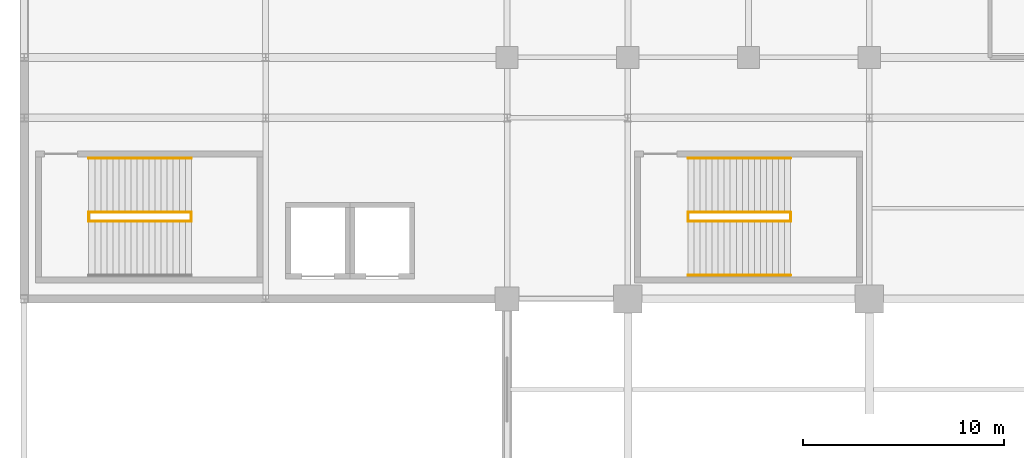
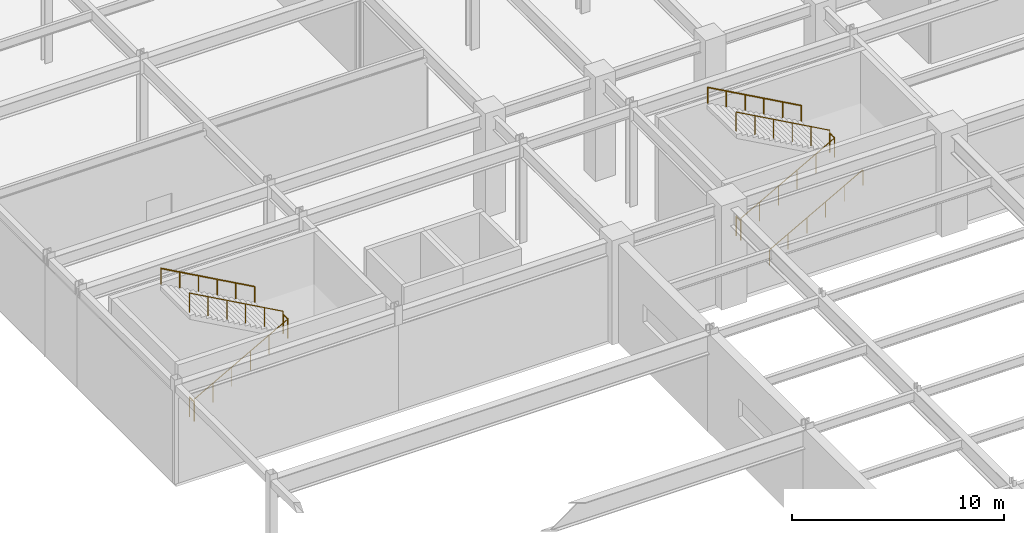
# One storey, part 100 of 105: 11 railings.
"""IFC4 building model written with IfcOpenShell, lengths in metres."""

from ifc_helpers import new_model, si_unit, direction, frame, origin, origin_2d, place, context, subcontext, project, spatial, circle, extrude, material, type_object, element, save


model = new_model("IFC4")

# Units and contexts
model_context = context("Model", 3, precision=1e-05, world=origin(), true_north=direction((0.0, 1.0)))
body_context = subcontext(model_context, "Body", "Model", "MODEL_VIEW")
ifc_project = project(units=[si_unit("LENGTHUNIT", "METRE"), si_unit("AREAUNIT", "SQUARE_METRE"), si_unit("VOLUMEUNIT", "CUBIC_METRE"), si_unit("PLANEANGLEUNIT", "RADIAN"), si_unit("MASSUNIT", "GRAM", prefix="KILO")], contexts=[model_context])

# Site, building, storey
site_placement = place(None, origin())
site = spatial("IfcSite", under=ifc_project, at=site_placement, CompositionType="ELEMENT")
building_placement = place(site_placement, origin())
building = spatial("IfcBuilding", under=site, at=building_placement, Name="Kaldorvane Square Convention Centre", CompositionType="ELEMENT")
storey_placement = place(building_placement, frame((0.0, 0.0, 6.0)))
storey = spatial("IfcBuildingStorey", under=building, at=storey_placement, Name="L01", CompositionType="ELEMENT", Elevation=6.0)

# Railings
ifc_material = material(Name="Architectural Painted Steel", Category="steel")
railing_type_1 = type_object("IfcRailingType", Name="RL-GUARD-1120", PredefinedType="BALUSTRADE", material=ifc_material)
for number, where, name in (
    (1, (3.2100067138671875, 75.86000061035156, 0.0), "Convention Exit Stair C12 Floor Well Guard (L01)"),
    (2, (8.30999755859375, 75.86000061035156, 3.0), "Convention Exit Stair C12 Half-Landing Guard (L01)"),
):
    element("IfcRailing", number, at=place(storey_placement, frame(where)), inside=storey, type_object=railing_type_1, Name=name, PredefinedType="BALUSTRADE", context=body_context, shape_type="SweptSolid", body=[
        extrude(circle(Radius=0.0240020751953125, at=origin_2d()), frame((0.0, 0.0, 1.0959930419921875), z_axis=(0.0, 1.0, 0.0), x_axis=(-1.0, 0.0, 0.0)), (0.0, 0.0, 1.0), 0.44000244140625),
        extrude(circle(Radius=0.02099609375, at=origin_2d()), origin(), (0.0, 0.0, 1.0), 1.071990966796875),
        extrude(circle(Radius=0.02099609375, at=origin_2d()), frame((0.0, 0.44000244140625, 0.0)), (0.0, 0.0, 1.0), 1.071990966796875),
    ])
railing_1_placement = place(storey_placement, frame((3.2100067138671875, 75.85000610351562, 0.1666717529296875)))
element("IfcRailing", 3, at=railing_1_placement, inside=storey, type_object=railing_type_1, Name="Convention Exit Stair C12 Flight 1 Guard (L01)", PredefinedType="BALUSTRADE", context=body_context, shape_type="SweptSolid", body=[
    extrude(circle(Radius=0.0240020751953125, at=origin_2d()), frame((0.0, 0.0, 1.0959930419921875), z_axis=(0.874157276122, 0.0, 0.485642931179), x_axis=(0.0, 1.0, 0.0)), (0.0, 0.0, 1.0), 5.8341827392578125),
    extrude(circle(Radius=0.02099609375, at=origin_2d()), origin(), (0.0, 0.0, 1.0), 1.071990966796875),
    extrude(circle(Radius=0.02099609375, at=origin_2d()), frame((1.0200042724609375, 0.0, 0.5666656494140625)), (0.0, 0.0, 1.0), 1.071990966796875),
    extrude(circle(Radius=0.02099609375, at=origin_2d()), frame((2.0399932861328125, 0.0, 1.133331298828125)), (0.0, 0.0, 1.0), 1.071990966796875),
    extrude(circle(Radius=0.02099609375, at=origin_2d()), frame((3.05999755859375, 0.0, 1.6999969482421875)), (0.0, 0.0, 1.0), 1.071990966796875),
    extrude(circle(Radius=0.02099609375, at=origin_2d()), frame((4.079986572265625, 0.0, 2.26666259765625)), (0.0, 0.0, 1.0), 1.071990966796875),
    extrude(circle(Radius=0.02099609375, at=origin_2d()), frame((5.0999908447265625, 0.0, 2.8333282470703125)), (0.0, 0.0, 1.0), 1.071990966796875),
])
railing_2_placement = place(storey_placement, frame((8.30999755859375, 76.30999755859375, 3.1666717529296875)))
element("IfcRailing", 4, at=railing_2_placement, inside=storey, type_object=railing_type_1, Name="Convention Exit Stair C12 Flight 2 Guard (L01)", PredefinedType="BALUSTRADE", context=body_context, shape_type="SweptSolid", body=[
    extrude(circle(Radius=0.0240020751953125, at=origin_2d()), frame((0.0, 0.0, 1.0959930419921875), z_axis=(-0.874157276122, 0.0, 0.485642931179), x_axis=(0.0, -1.0, 0.0)), (0.0, 0.0, 1.0), 5.8341827392578125),
    extrude(circle(Radius=0.02099609375, at=origin_2d()), origin(), (0.0, 0.0, 1.0), 1.071990966796875),
    extrude(circle(Radius=0.02099609375, at=origin_2d()), frame((-1.0200042724609375, 0.0, 0.5666656494140625)), (0.0, 0.0, 1.0), 1.071990966796875),
    extrude(circle(Radius=0.02099609375, at=origin_2d()), frame((-2.0399932861328125, 0.0, 1.133331298828125)), (0.0, 0.0, 1.0), 1.071990966796875),
    extrude(circle(Radius=0.02099609375, at=origin_2d()), frame((-3.05999755859375, 0.0, 1.6999969482421875)), (0.0, 0.0, 1.0), 1.071990966796875),
    extrude(circle(Radius=0.02099609375, at=origin_2d()), frame((-4.079986572265625, 0.0, 2.26666259765625)), (0.0, 0.0, 1.0), 1.071990966796875),
    extrude(circle(Radius=0.02099609375, at=origin_2d()), frame((-5.0999908447265625, 0.0, 2.8333282470703125)), (0.0, 0.0, 1.0), 1.071990966796875),
])
for number, where, name in (
    (5, (32.99000549316406, 75.86000061035156, 0.0), "Convention Exit Stair C13 Floor Well Guard (L01)"),
    (6, (38.089996337890625, 75.86000061035156, 3.0), "Convention Exit Stair C13 Half-Landing Guard (L01)"),
):
    element("IfcRailing", number, at=place(storey_placement, frame(where)), inside=storey, type_object=railing_type_1, Name=name, PredefinedType="BALUSTRADE", context=body_context, shape_type="SweptSolid", body=[
        extrude(circle(Radius=0.0240020751953125, at=origin_2d()), frame((0.0, 0.0, 1.0959930419921875), z_axis=(0.0, 1.0, 0.0), x_axis=(-1.0, 0.0, 0.0)), (0.0, 0.0, 1.0), 0.44000244140625),
        extrude(circle(Radius=0.02099609375, at=origin_2d()), origin(), (0.0, 0.0, 1.0), 1.071990966796875),
        extrude(circle(Radius=0.02099609375, at=origin_2d()), frame((0.0, 0.44000244140625, 0.0)), (0.0, 0.0, 1.0), 1.071990966796875),
    ])
railing_3_placement = place(storey_placement, frame((32.99000549316406, 75.85000610351562, 0.1666717529296875)))
element("IfcRailing", 7, at=railing_3_placement, inside=storey, type_object=railing_type_1, Name="Convention Exit Stair C13 Flight 1 Guard (L01)", PredefinedType="BALUSTRADE", context=body_context, shape_type="SweptSolid", body=[
    extrude(circle(Radius=0.0240020751953125, at=origin_2d()), frame((0.0, 0.0, 1.0959930419921875), z_axis=(0.874157276122, 0.0, 0.485642931179), x_axis=(0.0, 1.0, 0.0)), (0.0, 0.0, 1.0), 5.8341827392578125),
    extrude(circle(Radius=0.02099609375, at=origin_2d()), origin(), (0.0, 0.0, 1.0), 1.071990966796875),
    extrude(circle(Radius=0.02099609375, at=origin_2d()), frame((1.0200042724609375, 0.0, 0.5666656494140625)), (0.0, 0.0, 1.0), 1.071990966796875),
    extrude(circle(Radius=0.02099609375, at=origin_2d()), frame((2.0399932861328125, 0.0, 1.133331298828125)), (0.0, 0.0, 1.0), 1.071990966796875),
    extrude(circle(Radius=0.02099609375, at=origin_2d()), frame((3.05999755859375, 0.0, 1.6999969482421875)), (0.0, 0.0, 1.0), 1.071990966796875),
    extrude(circle(Radius=0.02099609375, at=origin_2d()), frame((4.079986572265625, 0.0, 2.26666259765625)), (0.0, 0.0, 1.0), 1.071990966796875),
    extrude(circle(Radius=0.02099609375, at=origin_2d()), frame((5.0999908447265625, 0.0, 2.8333282470703125)), (0.0, 0.0, 1.0), 1.071990966796875),
])
railing_4_placement = place(storey_placement, frame((38.089996337890625, 76.30999755859375, 3.1666717529296875)))
element("IfcRailing", 8, at=railing_4_placement, inside=storey, type_object=railing_type_1, Name="Convention Exit Stair C13 Flight 2 Guard (L01)", PredefinedType="BALUSTRADE", context=body_context, shape_type="SweptSolid", body=[
    extrude(circle(Radius=0.0240020751953125, at=origin_2d()), frame((0.0, 0.0, 1.0959930419921875), z_axis=(-0.874157276122, 0.0, 0.485642931179), x_axis=(0.0, -1.0, 0.0)), (0.0, 0.0, 1.0), 5.8341827392578125),
    extrude(circle(Radius=0.02099609375, at=origin_2d()), origin(), (0.0, 0.0, 1.0), 1.071990966796875),
    extrude(circle(Radius=0.02099609375, at=origin_2d()), frame((-1.0200042724609375, 0.0, 0.5666656494140625)), (0.0, 0.0, 1.0), 1.071990966796875),
    extrude(circle(Radius=0.02099609375, at=origin_2d()), frame((-2.0399932861328125, 0.0, 1.133331298828125)), (0.0, 0.0, 1.0), 1.071990966796875),
    extrude(circle(Radius=0.02099609375, at=origin_2d()), frame((-3.05999755859375, 0.0, 1.6999969482421875)), (0.0, 0.0, 1.0), 1.071990966796875),
    extrude(circle(Radius=0.02099609375, at=origin_2d()), frame((-4.079986572265625, 0.0, 2.26666259765625)), (0.0, 0.0, 1.0), 1.071990966796875),
    extrude(circle(Radius=0.02099609375, at=origin_2d()), frame((-5.0999908447265625, 0.0, 2.8333282470703125)), (0.0, 0.0, 1.0), 1.071990966796875),
])
railing_type_2 = type_object("IfcRailingType", Name="RL-HAND-915", PredefinedType="HANDRAIL", material=ifc_material)
railing_5_placement = place(storey_placement, frame((8.30999755859375, 78.99000549316406, 3.1666717529296875)))
element("IfcRailing", 9, at=railing_5_placement, inside=storey, type_object=railing_type_2, Name="Convention Exit Stair C12 Wall Handrail 2 (L01)", PredefinedType="HANDRAIL", context=body_context, shape_type="SweptSolid", body=[
    extrude(circle(Radius=0.0240020751953125, at=origin_2d()), frame((0.0, 0.0, 0.8909912109375), z_axis=(-0.874157276122, 0.0, 0.485642931179), x_axis=(0.0, -1.0, 0.0)), (0.0, 0.0, 1.0), 5.8341827392578125),
    extrude(circle(Radius=0.02099609375, at=origin_2d()), origin(), (0.0, 0.0, 1.0), 0.8669891357421875),
    extrude(circle(Radius=0.02099609375, at=origin_2d()), frame((-1.0200042724609375, 0.0, 0.5666656494140625)), (0.0, 0.0, 1.0), 0.8669891357421875),
    extrude(circle(Radius=0.02099609375, at=origin_2d()), frame((-2.0399932861328125, 0.0, 1.133331298828125)), (0.0, 0.0, 1.0), 0.8669891357421875),
    extrude(circle(Radius=0.02099609375, at=origin_2d()), frame((-3.05999755859375, 0.0, 1.6999969482421875)), (0.0, 0.0, 1.0), 0.8669891357421875),
    extrude(circle(Radius=0.02099609375, at=origin_2d()), frame((-4.079986572265625, 0.0, 2.26666259765625)), (0.0, 0.0, 1.0), 0.8669891357421875),
    extrude(circle(Radius=0.02099609375, at=origin_2d()), frame((-5.0999908447265625, 0.0, 2.8333282470703125)), (0.0, 0.0, 1.0), 0.8669891357421875),
])
railing_6_placement = place(storey_placement, frame((32.99000549316406, 73.16999816894531, 0.1666717529296875)))
element("IfcRailing", 10, at=railing_6_placement, inside=storey, type_object=railing_type_2, Name="Convention Exit Stair C13 Wall Handrail 1 (L01)", PredefinedType="HANDRAIL", context=body_context, shape_type="SweptSolid", body=[
    extrude(circle(Radius=0.0240020751953125, at=origin_2d()), frame((0.0, 0.0, 0.8909912109375), z_axis=(0.874157276122, 0.0, 0.485642931179), x_axis=(0.0, 1.0, 0.0)), (0.0, 0.0, 1.0), 5.8341827392578125),
    extrude(circle(Radius=0.02099609375, at=origin_2d()), origin(), (0.0, 0.0, 1.0), 0.8669891357421875),
    extrude(circle(Radius=0.02099609375, at=origin_2d()), frame((1.0200042724609375, 0.0, 0.5666656494140625)), (0.0, 0.0, 1.0), 0.8669891357421875),
    extrude(circle(Radius=0.02099609375, at=origin_2d()), frame((2.0399932861328125, 0.0, 1.133331298828125)), (0.0, 0.0, 1.0), 0.8669891357421875),
    extrude(circle(Radius=0.02099609375, at=origin_2d()), frame((3.05999755859375, 0.0, 1.6999969482421875)), (0.0, 0.0, 1.0), 0.8669891357421875),
    extrude(circle(Radius=0.02099609375, at=origin_2d()), frame((4.079986572265625, 0.0, 2.26666259765625)), (0.0, 0.0, 1.0), 0.8669891357421875),
    extrude(circle(Radius=0.02099609375, at=origin_2d()), frame((5.0999908447265625, 0.0, 2.8333282470703125)), (0.0, 0.0, 1.0), 0.8669891357421875),
])
railing_7_placement = place(storey_placement, frame((38.089996337890625, 78.99000549316406, 3.1666717529296875)))
element("IfcRailing", 11, at=railing_7_placement, inside=storey, type_object=railing_type_2, Name="Convention Exit Stair C13 Wall Handrail 2 (L01)", PredefinedType="HANDRAIL", context=body_context, shape_type="SweptSolid", body=[
    extrude(circle(Radius=0.0240020751953125, at=origin_2d()), frame((0.0, 0.0, 0.8909912109375), z_axis=(-0.874157276122, 0.0, 0.485642931179), x_axis=(0.0, -1.0, 0.0)), (0.0, 0.0, 1.0), 5.8341827392578125),
    extrude(circle(Radius=0.02099609375, at=origin_2d()), origin(), (0.0, 0.0, 1.0), 0.8669891357421875),
    extrude(circle(Radius=0.02099609375, at=origin_2d()), frame((-1.0200042724609375, 0.0, 0.5666656494140625)), (0.0, 0.0, 1.0), 0.8669891357421875),
    extrude(circle(Radius=0.02099609375, at=origin_2d()), frame((-2.0399932861328125, 0.0, 1.133331298828125)), (0.0, 0.0, 1.0), 0.8669891357421875),
    extrude(circle(Radius=0.02099609375, at=origin_2d()), frame((-3.05999755859375, 0.0, 1.6999969482421875)), (0.0, 0.0, 1.0), 0.8669891357421875),
    extrude(circle(Radius=0.02099609375, at=origin_2d()), frame((-4.079986572265625, 0.0, 2.26666259765625)), (0.0, 0.0, 1.0), 0.8669891357421875),
    extrude(circle(Radius=0.02099609375, at=origin_2d()), frame((-5.0999908447265625, 0.0, 2.8333282470703125)), (0.0, 0.0, 1.0), 0.8669891357421875),
])

save(model, "model.ifc")
